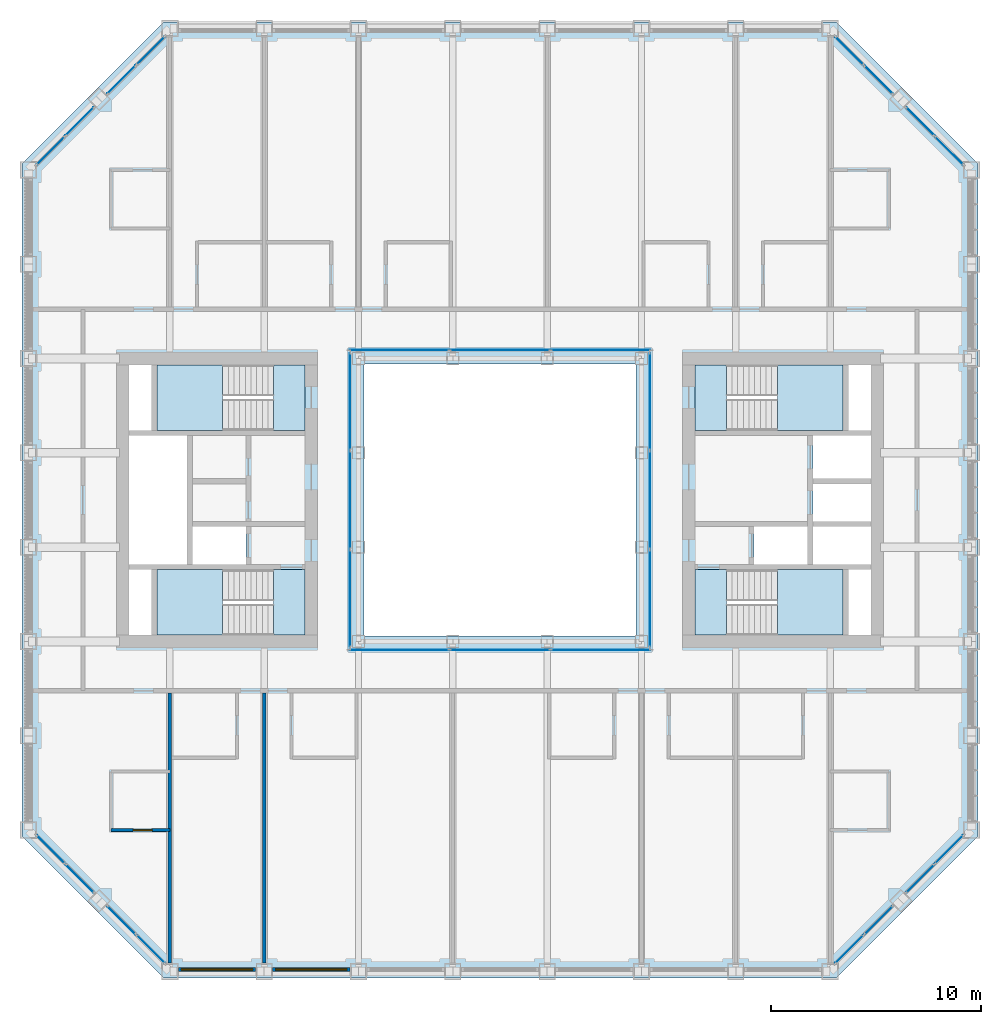
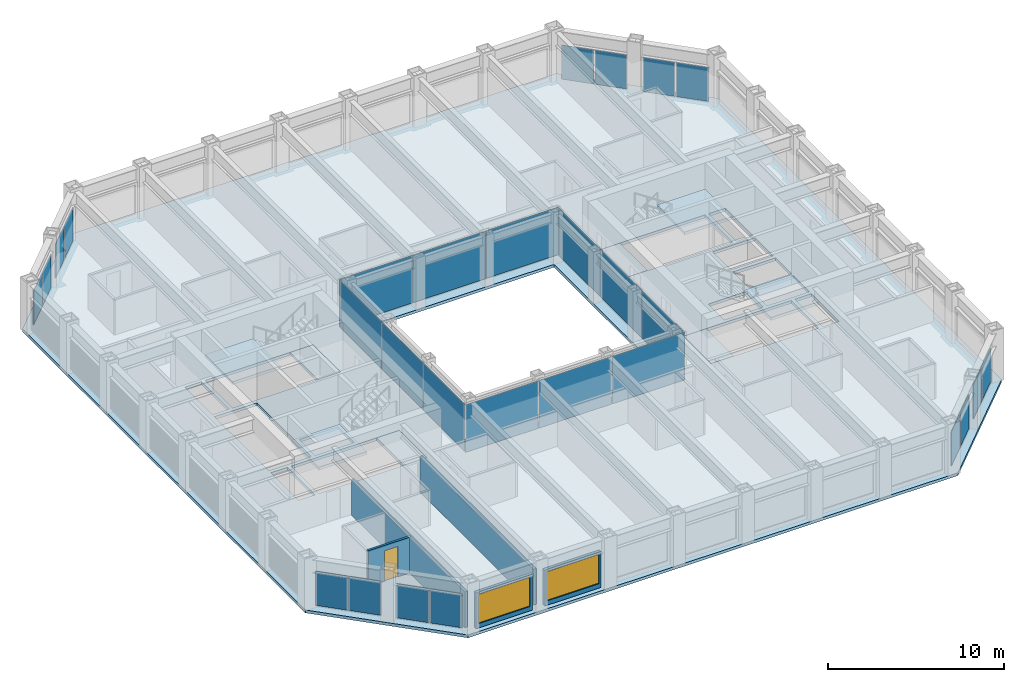
# One storey, part 9 of 17: 28 plates, 9 slabs, 5 walls, 2 windows, 1 door, 3 openings, 16 elements without a shape of their own.
"""IFC4 building model written with IfcOpenShell, lengths in metres."""

from ifc_helpers import new_model, si_unit, direction, frame, frame_2d, origin, origin_2d, place, context, subcontext, project, spatial, polyline, rectangle, outline, extrude, material, layer, layer_set, type_object, element, fill, aggregate, save


model = new_model("IFC4")

# Units and contexts
model_context = context("Model", 3, precision=1e-05, world=origin(), true_north=direction((0.0, 1.0)))
body_context = subcontext(model_context, "Body", "Model", "MODEL_VIEW")
ifc_project = project(units=[si_unit("LENGTHUNIT", "METRE"), si_unit("AREAUNIT", "SQUARE_METRE"), si_unit("VOLUMEUNIT", "CUBIC_METRE"), si_unit("PLANEANGLEUNIT", "RADIAN"), si_unit("MASSUNIT", "GRAM", prefix="KILO")], contexts=[model_context])

# Site, building, storey
site_placement = place(None, origin())
site = spatial("IfcSite", under=ifc_project, at=site_placement, CompositionType="ELEMENT")
building_placement = place(site_placement, origin())
building = spatial("IfcBuilding", under=site, at=building_placement, Name="Msasa Ring Tower", CompositionType="ELEMENT")
storey_placement = place(building_placement, frame((0.0, 0.0, 136.39990234375)))
storey = spatial("IfcBuildingStorey", under=building, at=storey_placement, Name="L35", CompositionType="ELEMENT", Elevation=136.39990234375)

# Curtain wall, plates
ifc_material_1 = material(Name="Aluminium curtain wall with clear glass", Category="aluminium")
curtain_wall_type_1 = type_object("IfcCurtainWallType", Name="CW-C CHAMFER CORNER CURTAIN WALL", PredefinedType="NOTDEFINED", material=ifc_material_1)
curtain_wall_1_placement = place(storey_placement, origin())
curtain_wall_1 = element("IfcCurtainWall", 1, at=curtain_wall_1_placement, inside=storey, type_object=curtain_wall_type_1, Name="Chamfer corner curtain wall SE L35", PredefinedType="NOTDEFINED")
ifc_material_2 = material(Name="Clear laminated insulating glass unit", Category="glass")
ifc_layer_1 = layer(ifc_material_2, 0.031982421875)
ifc_layer_set_1 = layer_set([ifc_layer_1], Name="CW-C GLASS PANEL 32")
plate_type_1 = type_object("IfcPlateType", Name="CW-C GLASS PANEL 32", PredefinedType="CURTAIN_PANEL", material=ifc_layer_set_1)
plate_1_placement = place(storey_placement, frame((16.677734375, -21.430908203125, 0.06494140625), z_axis=(0.0, 0.0, 1.0), x_axis=(0.707106781187, 0.707106781187, 0.0)))
plate_1 = element("IfcPlate", 2, at=plate_1_placement, type_object=plate_type_1, Name="CW-C panel 1.1", PredefinedType="CURTAIN_PANEL", context=body_context, shape_type="SweptSolid", body=[
    extrude(rectangle(XDim=1.884033203125, YDim=0.031982421875, at=origin_2d()), origin(), (0.0, 0.0, 1.0), 2.34912109375),
])
plate_2_placement = place(storey_placement, frame((18.055908203125, -20.052734375, 0.06494140625), z_axis=(0.0, 0.0, 1.0), x_axis=(0.707106781187, 0.707106781187, 0.0)))
plate_2 = element("IfcPlate", 3, at=plate_2_placement, type_object=plate_type_1, Name="CW-C panel 2.1", PredefinedType="CURTAIN_PANEL", context=body_context, shape_type="SweptSolid", body=[
    extrude(rectangle(XDim=1.884033203125, YDim=0.031982421875, at=origin_2d()), origin(), (0.0, 0.0, 1.0), 2.34912109375),
])
aggregate(curtain_wall_1, [plate_1, plate_2])

curtain_wall_2_placement = place(storey_placement, origin())
curtain_wall_2 = element("IfcCurtainWall", 4, at=curtain_wall_2_placement, inside=storey, type_object=curtain_wall_type_1, Name="Chamfer corner curtain wall SE L35", PredefinedType="NOTDEFINED")
plate_3_placement = place(storey_placement, frame((20.052734375, -18.055908203125, 0.06494140625), z_axis=(0.0, 0.0, 1.0), x_axis=(0.707106781187, 0.707106781187, 0.0)))
plate_3 = element("IfcPlate", 5, at=plate_3_placement, type_object=plate_type_1, Name="CW-C panel 1.1", PredefinedType="CURTAIN_PANEL", context=body_context, shape_type="SweptSolid", body=[
    extrude(rectangle(XDim=1.884033203125, YDim=0.031982421875, at=origin_2d()), origin(), (0.0, 0.0, 1.0), 2.34912109375),
])
plate_4_placement = place(storey_placement, frame((21.430908203125, -16.677734375, 0.06494140625), z_axis=(0.0, 0.0, 1.0), x_axis=(0.707106781187, 0.707106781187, 0.0)))
plate_4 = element("IfcPlate", 6, at=plate_4_placement, type_object=plate_type_1, Name="CW-C panel 2.1", PredefinedType="CURTAIN_PANEL", context=body_context, shape_type="SweptSolid", body=[
    extrude(rectangle(XDim=1.884033203125, YDim=0.031982421875, at=origin_2d()), origin(), (0.0, 0.0, 1.0), 2.34912109375),
])
aggregate(curtain_wall_2, [plate_3, plate_4])

curtain_wall_3_placement = place(storey_placement, origin())
curtain_wall_3 = element("IfcCurtainWall", 7, at=curtain_wall_3_placement, inside=storey, type_object=curtain_wall_type_1, Name="Chamfer corner curtain wall NE L35", PredefinedType="NOTDEFINED")
plate_5_placement = place(storey_placement, frame((18.055908203125, 20.052734375, 0.06494140625), z_axis=(0.0, 0.0, 1.0), x_axis=(-0.707106781187, 0.707106781187, 0.0)))
plate_5 = element("IfcPlate", 8, at=plate_5_placement, type_object=plate_type_1, Name="CW-C panel 1.1", PredefinedType="CURTAIN_PANEL", context=body_context, shape_type="SweptSolid", body=[
    extrude(rectangle(XDim=1.884033203125, YDim=0.031982421875, at=origin_2d()), origin(), (0.0, 0.0, 1.0), 2.34912109375),
])
plate_6_placement = place(storey_placement, frame((16.677734375, 21.430908203125, 0.06494140625), z_axis=(0.0, 0.0, 1.0), x_axis=(-0.707106781187, 0.707106781187, 0.0)))
plate_6 = element("IfcPlate", 9, at=plate_6_placement, type_object=plate_type_1, Name="CW-C panel 2.1", PredefinedType="CURTAIN_PANEL", context=body_context, shape_type="SweptSolid", body=[
    extrude(rectangle(XDim=1.884033203125, YDim=0.031982421875, at=origin_2d()), origin(), (0.0, 0.0, 1.0), 2.34912109375),
])
aggregate(curtain_wall_3, [plate_5, plate_6])

curtain_wall_4_placement = place(storey_placement, origin())
curtain_wall_4 = element("IfcCurtainWall", 10, at=curtain_wall_4_placement, inside=storey, type_object=curtain_wall_type_1, Name="Chamfer corner curtain wall NE L35", PredefinedType="NOTDEFINED")
plate_7_placement = place(storey_placement, frame((21.430908203125, 16.677734375, 0.06494140625), z_axis=(0.0, 0.0, 1.0), x_axis=(-0.707106781187, 0.707106781187, 0.0)))
plate_7 = element("IfcPlate", 11, at=plate_7_placement, type_object=plate_type_1, Name="CW-C panel 1.1", PredefinedType="CURTAIN_PANEL", context=body_context, shape_type="SweptSolid", body=[
    extrude(rectangle(XDim=1.884033203125, YDim=0.031982421875, at=origin_2d()), origin(), (0.0, 0.0, 1.0), 2.34912109375),
])
plate_8_placement = place(storey_placement, frame((20.052734375, 18.055908203125, 0.06494140625), z_axis=(0.0, 0.0, 1.0), x_axis=(-0.707106781187, 0.707106781187, 0.0)))
plate_8 = element("IfcPlate", 12, at=plate_8_placement, type_object=plate_type_1, Name="CW-C panel 2.1", PredefinedType="CURTAIN_PANEL", context=body_context, shape_type="SweptSolid", body=[
    extrude(rectangle(XDim=1.884033203125, YDim=0.031982421875, at=origin_2d()), origin(), (0.0, 0.0, 1.0), 2.34912109375),
])
aggregate(curtain_wall_4, [plate_7, plate_8])

curtain_wall_5_placement = place(storey_placement, origin())
curtain_wall_5 = element("IfcCurtainWall", 13, at=curtain_wall_5_placement, inside=storey, type_object=curtain_wall_type_1, Name="Chamfer corner curtain wall NW L35", PredefinedType="NOTDEFINED")
plate_9_placement = place(storey_placement, frame((-20.052734375, 18.055908203125, 0.06494140625), z_axis=(0.0, 0.0, 1.0), x_axis=(-0.707106781187, -0.707106781187, 0.0)))
plate_9 = element("IfcPlate", 14, at=plate_9_placement, type_object=plate_type_1, Name="CW-C panel 1.1", PredefinedType="CURTAIN_PANEL", context=body_context, shape_type="SweptSolid", body=[
    extrude(rectangle(XDim=1.884033203125, YDim=0.031982421875, at=origin_2d()), origin(), (0.0, 0.0, 1.0), 2.34912109375),
])
plate_10_placement = place(storey_placement, frame((-21.430908203125, 16.677734375, 0.06494140625), z_axis=(0.0, 0.0, 1.0), x_axis=(-0.707106781187, -0.707106781187, 0.0)))
plate_10 = element("IfcPlate", 15, at=plate_10_placement, type_object=plate_type_1, Name="CW-C panel 2.1", PredefinedType="CURTAIN_PANEL", context=body_context, shape_type="SweptSolid", body=[
    extrude(rectangle(XDim=1.884033203125, YDim=0.031982421875, at=origin_2d()), origin(), (0.0, 0.0, 1.0), 2.34912109375),
])
aggregate(curtain_wall_5, [plate_9, plate_10])

curtain_wall_6_placement = place(storey_placement, origin())
curtain_wall_6 = element("IfcCurtainWall", 16, at=curtain_wall_6_placement, inside=storey, type_object=curtain_wall_type_1, Name="Chamfer corner curtain wall NW L35", PredefinedType="NOTDEFINED")
plate_11_placement = place(storey_placement, frame((-16.677734375, 21.430908203125, 0.06494140625), z_axis=(0.0, 0.0, 1.0), x_axis=(-0.707106781187, -0.707106781187, 0.0)))
plate_11 = element("IfcPlate", 17, at=plate_11_placement, type_object=plate_type_1, Name="CW-C panel 1.1", PredefinedType="CURTAIN_PANEL", context=body_context, shape_type="SweptSolid", body=[
    extrude(rectangle(XDim=1.884033203125, YDim=0.031982421875, at=origin_2d()), origin(), (0.0, 0.0, 1.0), 2.34912109375),
])
plate_12_placement = place(storey_placement, frame((-18.055908203125, 20.052734375, 0.06494140625), z_axis=(0.0, 0.0, 1.0), x_axis=(-0.707106781187, -0.707106781187, 0.0)))
plate_12 = element("IfcPlate", 18, at=plate_12_placement, type_object=plate_type_1, Name="CW-C panel 2.1", PredefinedType="CURTAIN_PANEL", context=body_context, shape_type="SweptSolid", body=[
    extrude(rectangle(XDim=1.884033203125, YDim=0.031982421875, at=origin_2d()), origin(), (0.0, 0.0, 1.0), 2.34912109375),
])
aggregate(curtain_wall_6, [plate_11, plate_12])

curtain_wall_7_placement = place(storey_placement, origin())
curtain_wall_7 = element("IfcCurtainWall", 19, at=curtain_wall_7_placement, inside=storey, type_object=curtain_wall_type_1, Name="Chamfer corner curtain wall SW L35", PredefinedType="NOTDEFINED")
plate_13_placement = place(storey_placement, frame((-21.430908203125, -16.677734375, 0.06494140625), z_axis=(0.0, 0.0, 1.0), x_axis=(0.707106781187, -0.707106781187, 0.0)))
plate_13 = element("IfcPlate", 20, at=plate_13_placement, type_object=plate_type_1, Name="CW-C panel 1.1", PredefinedType="CURTAIN_PANEL", context=body_context, shape_type="SweptSolid", body=[
    extrude(rectangle(XDim=1.884033203125, YDim=0.031982421875, at=origin_2d()), origin(), (0.0, 0.0, 1.0), 2.34912109375),
])
plate_14_placement = place(storey_placement, frame((-20.052734375, -18.055908203125, 0.06494140625), z_axis=(0.0, 0.0, 1.0), x_axis=(0.707106781187, -0.707106781187, 0.0)))
plate_14 = element("IfcPlate", 21, at=plate_14_placement, type_object=plate_type_1, Name="CW-C panel 2.1", PredefinedType="CURTAIN_PANEL", context=body_context, shape_type="SweptSolid", body=[
    extrude(rectangle(XDim=1.884033203125, YDim=0.031982421875, at=origin_2d()), origin(), (0.0, 0.0, 1.0), 2.34912109375),
])
aggregate(curtain_wall_7, [plate_13, plate_14])

curtain_wall_8_placement = place(storey_placement, origin())
curtain_wall_8 = element("IfcCurtainWall", 22, at=curtain_wall_8_placement, inside=storey, type_object=curtain_wall_type_1, Name="Chamfer corner curtain wall SW L35", PredefinedType="NOTDEFINED")
plate_15_placement = place(storey_placement, frame((-18.055908203125, -20.052734375, 0.06494140625), z_axis=(0.0, 0.0, 1.0), x_axis=(0.707106781187, -0.707106781187, 0.0)))
plate_15 = element("IfcPlate", 23, at=plate_15_placement, type_object=plate_type_1, Name="CW-C panel 1.1", PredefinedType="CURTAIN_PANEL", context=body_context, shape_type="SweptSolid", body=[
    extrude(rectangle(XDim=1.884033203125, YDim=0.031982421875, at=origin_2d()), origin(), (0.0, 0.0, 1.0), 2.34912109375),
])
plate_16_placement = place(storey_placement, frame((-16.677734375, -21.430908203125, 0.06494140625), z_axis=(0.0, 0.0, 1.0), x_axis=(0.707106781187, -0.707106781187, 0.0)))
plate_16 = element("IfcPlate", 24, at=plate_16_placement, type_object=plate_type_1, Name="CW-C panel 2.1", PredefinedType="CURTAIN_PANEL", context=body_context, shape_type="SweptSolid", body=[
    extrude(rectangle(XDim=1.884033203125, YDim=0.031982421875, at=origin_2d()), origin(), (0.0, 0.0, 1.0), 2.34912109375),
])
aggregate(curtain_wall_8, [plate_15, plate_16])

ifc_material_3 = material(Name="Aluminium curtain wall with clear glass", Category="aluminium")
curtain_wall_type_2 = type_object("IfcCurtainWallType", Name="CW-W LIGHT WELL CURTAIN WALL", PredefinedType="NOTDEFINED", material=ifc_material_3)
curtain_wall_9_placement = place(storey_placement, origin())
curtain_wall_9 = element("IfcCurtainWall", 25, at=curtain_wall_9_placement, inside=storey, type_object=curtain_wall_type_2, Name="Light well curtain wall N L35", PredefinedType="NOTDEFINED")
ifc_material_4 = material(Name="Clear laminated insulating glass unit", Category="glass")
ifc_layer_2 = layer(ifc_material_4, 0.028076171875)
ifc_layer_set_2 = layer_set([ifc_layer_2], Name="CW-W GLASS PANEL 28")
plate_type_2 = type_object("IfcPlateType", Name="CW-W GLASS PANEL 28", PredefinedType="CURTAIN_PANEL", material=ifc_layer_set_2)
plate_17_placement = place(storey_placement, frame((-4.804931640625, 7.14990234375, 0.06005859375), z_axis=(0.0, 0.0, 1.0), x_axis=(1.0, 0.0, 0.0)))
plate_17 = element("IfcPlate", 26, at=plate_17_placement, type_object=plate_type_2, Name="CW-W panel 1.1", PredefinedType="CURTAIN_PANEL", context=body_context, shape_type="SweptSolid", body=[
    extrude(rectangle(XDim=4.72998046875, YDim=0.028076171875, at=origin_2d()), origin(), (0.0, 0.0, 1.0), 3.280029296875),
])
plate_18_placement = place(storey_placement, frame((0.0, 7.14990234375, 0.06005859375), z_axis=(0.0, 0.0, 1.0), x_axis=(1.0, 0.0, 0.0)))
plate_18 = element("IfcPlate", 27, at=plate_18_placement, type_object=plate_type_2, Name="CW-W panel 2.1", PredefinedType="CURTAIN_PANEL", context=body_context, shape_type="SweptSolid", body=[
    extrude(rectangle(XDim=4.760009765625, YDim=0.028076171875, at=origin_2d()), origin(), (0.0, 0.0, 1.0), 3.280029296875),
])
plate_19_placement = place(storey_placement, frame((4.804931640625, 7.14990234375, 0.06005859375), z_axis=(0.0, 0.0, 1.0), x_axis=(1.0, 0.0, 0.0)))
plate_19 = element("IfcPlate", 28, at=plate_19_placement, type_object=plate_type_2, Name="CW-W panel 3.1", PredefinedType="CURTAIN_PANEL", context=body_context, shape_type="SweptSolid", body=[
    extrude(rectangle(XDim=4.72998046875, YDim=0.028076171875, at=origin_2d()), origin(), (0.0, 0.0, 1.0), 3.280029296875),
])
aggregate(curtain_wall_9, [plate_17, plate_18, plate_19])

curtain_wall_10_placement = place(storey_placement, origin())
curtain_wall_10 = element("IfcCurtainWall", 29, at=curtain_wall_10_placement, inside=storey, type_object=curtain_wall_type_2, Name="Light well curtain wall S L35", PredefinedType="NOTDEFINED")
plate_20_placement = place(storey_placement, frame((-4.804931640625, -7.14990234375, 0.06005859375), z_axis=(0.0, 0.0, 1.0), x_axis=(1.0, 0.0, 0.0)))
plate_20 = element("IfcPlate", 30, at=plate_20_placement, type_object=plate_type_2, Name="CW-W panel 1.1", PredefinedType="CURTAIN_PANEL", context=body_context, shape_type="SweptSolid", body=[
    extrude(rectangle(XDim=4.72998046875, YDim=0.028076171875, at=origin_2d()), origin(), (0.0, 0.0, 1.0), 3.280029296875),
])
plate_21_placement = place(storey_placement, frame((0.0, -7.14990234375, 0.06005859375), z_axis=(0.0, 0.0, 1.0), x_axis=(1.0, 0.0, 0.0)))
plate_21 = element("IfcPlate", 31, at=plate_21_placement, type_object=plate_type_2, Name="CW-W panel 2.1", PredefinedType="CURTAIN_PANEL", context=body_context, shape_type="SweptSolid", body=[
    extrude(rectangle(XDim=4.760009765625, YDim=0.028076171875, at=origin_2d()), origin(), (0.0, 0.0, 1.0), 3.280029296875),
])
plate_22_placement = place(storey_placement, frame((4.804931640625, -7.14990234375, 0.06005859375), z_axis=(0.0, 0.0, 1.0), x_axis=(1.0, 0.0, 0.0)))
plate_22 = element("IfcPlate", 32, at=plate_22_placement, type_object=plate_type_2, Name="CW-W panel 3.1", PredefinedType="CURTAIN_PANEL", context=body_context, shape_type="SweptSolid", body=[
    extrude(rectangle(XDim=4.72998046875, YDim=0.028076171875, at=origin_2d()), origin(), (0.0, 0.0, 1.0), 3.280029296875),
])
aggregate(curtain_wall_10, [plate_20, plate_21, plate_22])

curtain_wall_11_placement = place(storey_placement, origin())
curtain_wall_11 = element("IfcCurtainWall", 33, at=curtain_wall_11_placement, inside=storey, type_object=curtain_wall_type_2, Name="Light well curtain wall E L35", PredefinedType="NOTDEFINED")
plate_23_placement = place(storey_placement, frame((7.14990234375, -4.6982421875, 0.06005859375), z_axis=(0.0, 0.0, 1.0), x_axis=(0.0, 1.0, 0.0)))
plate_23 = element("IfcPlate", 34, at=plate_23_placement, type_object=plate_type_2, Name="CW-W panel 1.1", PredefinedType="CURTAIN_PANEL", context=body_context, shape_type="SweptSolid", body=[
    extrude(rectangle(XDim=4.623291015625, YDim=0.028076171875, at=origin_2d()), origin(), (0.0, 0.0, 1.0), 3.280029296875),
])
plate_24_placement = place(storey_placement, frame((7.14990234375, 0.0, 0.06005859375), z_axis=(0.0, 0.0, 1.0), x_axis=(0.0, 1.0, 0.0)))
plate_24 = element("IfcPlate", 35, at=plate_24_placement, type_object=plate_type_2, Name="CW-W panel 2.1", PredefinedType="CURTAIN_PANEL", context=body_context, shape_type="SweptSolid", body=[
    extrude(rectangle(XDim=4.6533203125, YDim=0.028076171875, at=origin_2d()), origin(), (0.0, 0.0, 1.0), 3.280029296875),
])
plate_25_placement = place(storey_placement, frame((7.14990234375, 4.6982421875, 0.06005859375), z_axis=(0.0, 0.0, 1.0), x_axis=(0.0, 1.0, 0.0)))
plate_25 = element("IfcPlate", 36, at=plate_25_placement, type_object=plate_type_2, Name="CW-W panel 3.1", PredefinedType="CURTAIN_PANEL", context=body_context, shape_type="SweptSolid", body=[
    extrude(rectangle(XDim=4.623291015625, YDim=0.028076171875, at=origin_2d()), origin(), (0.0, 0.0, 1.0), 3.280029296875),
])
aggregate(curtain_wall_11, [plate_23, plate_24, plate_25])

curtain_wall_12_placement = place(storey_placement, origin())
curtain_wall_12 = element("IfcCurtainWall", 37, at=curtain_wall_12_placement, inside=storey, type_object=curtain_wall_type_2, Name="Light well curtain wall W L35", PredefinedType="NOTDEFINED")
plate_26_placement = place(storey_placement, frame((-7.14990234375, -4.6982421875, 0.06005859375), z_axis=(0.0, 0.0, 1.0), x_axis=(0.0, 1.0, 0.0)))
plate_26 = element("IfcPlate", 38, at=plate_26_placement, type_object=plate_type_2, Name="CW-W panel 1.1", PredefinedType="CURTAIN_PANEL", context=body_context, shape_type="SweptSolid", body=[
    extrude(rectangle(XDim=4.623291015625, YDim=0.028076171875, at=origin_2d()), origin(), (0.0, 0.0, 1.0), 3.280029296875),
])
plate_27_placement = place(storey_placement, frame((-7.14990234375, 0.0, 0.06005859375), z_axis=(0.0, 0.0, 1.0), x_axis=(0.0, 1.0, 0.0)))
plate_27 = element("IfcPlate", 39, at=plate_27_placement, type_object=plate_type_2, Name="CW-W panel 2.1", PredefinedType="CURTAIN_PANEL", context=body_context, shape_type="SweptSolid", body=[
    extrude(rectangle(XDim=4.6533203125, YDim=0.028076171875, at=origin_2d()), origin(), (0.0, 0.0, 1.0), 3.280029296875),
])
plate_28_placement = place(storey_placement, frame((-7.14990234375, 4.6982421875, 0.06005859375), z_axis=(0.0, 0.0, 1.0), x_axis=(0.0, 1.0, 0.0)))
plate_28 = element("IfcPlate", 40, at=plate_28_placement, type_object=plate_type_2, Name="CW-W panel 3.1", PredefinedType="CURTAIN_PANEL", context=body_context, shape_type="SweptSolid", body=[
    extrude(rectangle(XDim=4.623291015625, YDim=0.028076171875, at=origin_2d()), origin(), (0.0, 0.0, 1.0), 3.280029296875),
])
aggregate(curtain_wall_12, [plate_26, plate_27, plate_28])

# Stair, slabs
ifc_material_5 = material(Name="Concrete C40/50", Category="concrete")
stair_type = type_object("IfcStairType", Name="STC CORE STAIR 20 RISERS 180", PredefinedType="HALF_TURN_STAIR", material=ifc_material_5)
stair_1_placement = place(storey_placement, origin())
stair_1 = element("IfcStair", 41, at=stair_1_placement, inside=storey, type_object=stair_type, Name="Core stair SEA L35", PredefinedType="HALF_TURN_STAIR")
ifc_material_6 = material(Name="Concrete C40/50", Category="concrete")
ifc_layer_3 = layer(ifc_material_6, 0.199951171875)
ifc_layer_set_3 = layer_set([ifc_layer_3], Name="LD1 CORE STAIR LANDING 200")
slab_type_1 = type_object("IfcSlabType", Name="LD1 CORE STAIR LANDING 200", PredefinedType="LANDING", material=ifc_layer_set_3)
slab_1_placement = place(storey_placement, frame((0.0, 0.0, -0.199951171875)))
slab_1 = element("IfcSlab", 42, at=slab_1_placement, type_object=slab_type_1, Name="SEA landing 1", PredefinedType="LANDING", context=body_context, shape_type="SweptSolid", body=[
    extrude(outline(polyline([(9.300048828125, -6.449951171875), (10.800048828125, -6.449951171875), (10.800048828125, -3.324951171875), (9.300048828125, -3.324951171875), (9.300048828125, -6.449951171875)])), origin(), (0.0, 0.0, 1.0), 0.199951171875),
])
slab_2_placement = place(storey_placement, frame((0.0, 0.0, 1.60009765625)))
slab_2 = element("IfcSlab", 43, at=slab_2_placement, type_object=slab_type_1, Name="SEA landing 2", PredefinedType="LANDING", context=body_context, shape_type="SweptSolid", body=[
    extrude(outline(polyline([(13.22998046875, -6.449951171875), (16.375, -6.449951171875), (16.375, -3.324951171875), (13.22998046875, -3.324951171875), (13.22998046875, -6.449951171875)])), origin(), (0.0, 0.0, 1.0), 0.199951171875),
])
aggregate(stair_1, [slab_1, slab_2])

stair_2_placement = place(storey_placement, origin())
stair_2 = element("IfcStair", 44, at=stair_2_placement, inside=storey, type_object=stair_type, Name="Core stair SEB L35", PredefinedType="HALF_TURN_STAIR")
slab_3_placement = place(storey_placement, frame((0.0, 0.0, -0.199951171875)))
slab_3 = element("IfcSlab", 45, at=slab_3_placement, type_object=slab_type_1, Name="SEB landing 1", PredefinedType="LANDING", context=body_context, shape_type="SweptSolid", body=[
    extrude(outline(polyline([(9.300048828125, 3.324951171875), (10.800048828125, 3.324951171875), (10.800048828125, 6.449951171875), (9.300048828125, 6.449951171875), (9.300048828125, 3.324951171875)])), origin(), (0.0, 0.0, 1.0), 0.199951171875),
])
slab_4_placement = place(storey_placement, frame((0.0, 0.0, 1.60009765625)))
slab_4 = element("IfcSlab", 46, at=slab_4_placement, type_object=slab_type_1, Name="SEB landing 2", PredefinedType="LANDING", context=body_context, shape_type="SweptSolid", body=[
    extrude(outline(polyline([(13.22998046875, 3.324951171875), (16.375, 3.324951171875), (16.375, 6.449951171875), (13.22998046875, 6.449951171875), (13.22998046875, 3.324951171875)])), origin(), (0.0, 0.0, 1.0), 0.199951171875),
])
aggregate(stair_2, [slab_3, slab_4])

stair_3_placement = place(storey_placement, origin())
stair_3 = element("IfcStair", 47, at=stair_3_placement, inside=storey, type_object=stair_type, Name="Core stair SWA L35", PredefinedType="HALF_TURN_STAIR")
slab_5_placement = place(storey_placement, frame((0.0, 0.0, -0.199951171875)))
slab_5 = element("IfcSlab", 48, at=slab_5_placement, type_object=slab_type_1, Name="SWA landing 1", PredefinedType="LANDING", context=body_context, shape_type="SweptSolid", body=[
    extrude(outline(polyline([(-10.800048828125, -6.449951171875), (-9.300048828125, -6.449951171875), (-9.300048828125, -3.324951171875), (-10.800048828125, -3.324951171875), (-10.800048828125, -6.449951171875)])), origin(), (0.0, 0.0, 1.0), 0.199951171875),
])
slab_6_placement = place(storey_placement, frame((0.0, 0.0, 1.60009765625)))
slab_6 = element("IfcSlab", 49, at=slab_6_placement, type_object=slab_type_1, Name="SWA landing 2", PredefinedType="LANDING", context=body_context, shape_type="SweptSolid", body=[
    extrude(outline(polyline([(-16.375, -6.449951171875), (-13.22998046875, -6.449951171875), (-13.22998046875, -3.324951171875), (-16.375, -3.324951171875), (-16.375, -6.449951171875)])), origin(), (0.0, 0.0, 1.0), 0.199951171875),
])
aggregate(stair_3, [slab_5, slab_6])

stair_4_placement = place(storey_placement, origin())
stair_4 = element("IfcStair", 50, at=stair_4_placement, inside=storey, type_object=stair_type, Name="Core stair SWB L35", PredefinedType="HALF_TURN_STAIR")
slab_7_placement = place(storey_placement, frame((0.0, 0.0, -0.199951171875)))
slab_7 = element("IfcSlab", 51, at=slab_7_placement, type_object=slab_type_1, Name="SWB landing 1", PredefinedType="LANDING", context=body_context, shape_type="SweptSolid", body=[
    extrude(outline(polyline([(-10.800048828125, 3.324951171875), (-9.300048828125, 3.324951171875), (-9.300048828125, 6.449951171875), (-10.800048828125, 6.449951171875), (-10.800048828125, 3.324951171875)])), origin(), (0.0, 0.0, 1.0), 0.199951171875),
])
slab_8_placement = place(storey_placement, frame((0.0, 0.0, 1.60009765625)))
slab_8 = element("IfcSlab", 52, at=slab_8_placement, type_object=slab_type_1, Name="SWB landing 2", PredefinedType="LANDING", context=body_context, shape_type="SweptSolid", body=[
    extrude(outline(polyline([(-16.375, 3.324951171875), (-13.22998046875, 3.324951171875), (-13.22998046875, 6.449951171875), (-16.375, 6.449951171875), (-16.375, 3.324951171875)])), origin(), (0.0, 0.0, 1.0), 0.199951171875),
])
aggregate(stair_4, [slab_7, slab_8])

# Slab
ifc_material_7 = material(Name="Concrete C40/50", Category="concrete")
ifc_layer_4 = layer(ifc_material_7, 0.199951171875)
ifc_layer_set_4 = layer_set([ifc_layer_4], Name="S6 GUEST FLOOR 200")
slab_type_2 = type_object("IfcSlabType", Name="S6 GUEST FLOOR 200", PredefinedType="FLOOR", material=ifc_layer_set_4)
slab_9_placement = place(storey_placement, frame((0.0, 0.0, -0.199951171875)))
element("IfcSlab", 53, at=slab_9_placement, inside=storey, type_object=slab_type_2, Name="Floor slab L35", PredefinedType="FLOOR", context=body_context, shape_type="SweptSolid", body=[
    extrude(outline(polyline([(-16.050048828125, -22.800048828125), (16.050048828125, -22.800048828125), (22.800048828125, -16.050048828125), (22.800048828125, 16.050048828125), (16.050048828125, 22.800048828125), (-16.050048828125, 22.800048828125), (-22.800048828125, 16.050048828125), (-22.800048828125, -16.050048828125), (-16.050048828125, -22.800048828125)]), holes=[polyline([(-6.5, -6.5), (6.5, -6.5), (6.5, 6.5), (-6.5, 6.5), (-6.5, -6.5)]), polyline([(9.300048828125, -6.449951171875), (16.375, -6.449951171875), (16.375, -3.324951171875), (9.300048828125, -3.324951171875), (9.300048828125, -6.449951171875)]), polyline([(9.300048828125, 3.324951171875), (16.375, 3.324951171875), (16.375, 6.449951171875), (9.300048828125, 6.449951171875), (9.300048828125, 3.324951171875)]), polyline([(12.125, -3.074951171875), (14.675048828125, -3.074951171875), (14.675048828125, -1.27490234375), (12.125, -1.27490234375), (12.125, -3.074951171875)]), polyline([(16.625, -6.449951171875), (17.699951171875, -6.449951171875), (17.699951171875, -3.324951171875), (16.625, -3.324951171875), (16.625, -6.449951171875)]), polyline([(16.625, 3.324951171875), (17.699951171875, 3.324951171875), (17.699951171875, 6.449951171875), (16.625, 6.449951171875), (16.625, 3.324951171875)]), polyline([(14.925048828125, -3.074951171875), (17.699951171875, -3.074951171875), (17.699951171875, -1.27490234375), (14.925048828125, -1.27490234375), (14.925048828125, -3.074951171875)]), polyline([(14.925048828125, -1.02490234375), (17.699951171875, -1.02490234375), (17.699951171875, 0.77490234375), (14.925048828125, 0.77490234375), (14.925048828125, -1.02490234375)]), polyline([(14.925048828125, 1.02490234375), (17.699951171875, 1.02490234375), (17.699951171875, 3.074951171875), (14.925048828125, 3.074951171875), (14.925048828125, 1.02490234375)]), polyline([(-16.375, -6.449951171875), (-9.300048828125, -6.449951171875), (-9.300048828125, -3.324951171875), (-16.375, -3.324951171875), (-16.375, -6.449951171875)]), polyline([(-16.375, 3.324951171875), (-9.300048828125, 3.324951171875), (-9.300048828125, 6.449951171875), (-16.375, 6.449951171875), (-16.375, 3.324951171875)]), polyline([(-14.675048828125, -3.074951171875), (-12.125, -3.074951171875), (-12.125, -1.27490234375), (-14.675048828125, -1.27490234375), (-14.675048828125, -3.074951171875)]), polyline([(-17.699951171875, -6.449951171875), (-16.625, -6.449951171875), (-16.625, -3.324951171875), (-17.699951171875, -3.324951171875), (-17.699951171875, -6.449951171875)]), polyline([(-17.699951171875, 3.324951171875), (-16.625, 3.324951171875), (-16.625, 6.449951171875), (-17.699951171875, 6.449951171875), (-17.699951171875, 3.324951171875)]), polyline([(-17.699951171875, -3.074951171875), (-14.925048828125, -3.074951171875), (-14.925048828125, 3.074951171875), (-17.699951171875, 3.074951171875), (-17.699951171875, -3.074951171875)])]), origin(), (0.0, 0.0, 1.0), 0.199951171875),
])

# Wall, opening, window
ifc_material_8 = material(Name="Terracotta rainscreen on blockwork", Category="masonry")
ifc_layer_5 = layer(ifc_material_8, 0.199951171875)
ifc_layer_set_5 = layer_set([ifc_layer_5], Name="FW1 TERRACOTTA-LINED INFILL BAY WALL 200")
wall_type_1 = type_object("IfcWallType", Name="FW1 TERRACOTTA-LINED INFILL BAY WALL 200", PredefinedType="SOLIDWALL", material=ifc_layer_set_5)
wall_1_placement = place(storey_placement, frame((-15.344970703125, -22.39990234375, 0.0), z_axis=(0.0, 0.0, 1.0), x_axis=(1.0, 0.0, 0.0)))
wall_1 = element("IfcWall", 54, at=wall_1_placement, inside=storey, type_object=wall_type_1, Name="Infill bay wall S L35 00", PredefinedType="SOLIDWALL", context=body_context, shape_type="SweptSolid", body=[
    extrude(rectangle(XDim=3.68994140625, YDim=0.199951171875, at=frame_2d((1.844970703125, 0.0))), origin(), (0.0, 0.0, 1.0), 2.47900390625),
])
opening_1_placement = place(wall_1_placement, frame((0.14501953125, 0.0, 0.300048828125)))
opening_1 = element("IfcOpeningElement", 55, at=opening_1_placement, cuts=wall_1, Name="Opening WN2", PredefinedType="OPENING", context=body_context, shape_type="SweptSolid", body=[
    extrude(rectangle(XDim=3.39990234375, YDim=2.029052734375, at=frame_2d((1.699951171875, 1.0146484375))), frame((0.0, 0.10986328125, 0.0), z_axis=(0.0, -1.0, 0.0), x_axis=(1.0, 0.0, 0.0)), (0.0, 0.0, 1.0), 0.219970703125),
])
ifc_material_9 = material(Name="Aluminium frame with clear glass", Category="aluminium")
window_type = type_object("IfcWindowType", Name="WN2 GUEST ROOM WINDOW 3400x2029", PartitioningType="SINGLE_PANEL", PredefinedType="WINDOW", material=ifc_material_9)
window_1_placement = place(opening_1_placement, origin())
window_1 = element("IfcWindow", 56, at=window_1_placement, inside=storey, type_object=window_type, Name="Window S L35 00", OverallHeight=2.029052734375, OverallWidth=3.39990234375, PartitioningType="SINGLE_PANEL", PredefinedType="WINDOW", context=body_context, shape_type="SweptSolid", body=[
    extrude(rectangle(XDim=3.39990234375, YDim=2.029052734375, at=frame_2d((1.699951171875, 1.0146484375))), frame((0.0, 0.030029296875, 0.0), z_axis=(0.0, -1.0, 0.0), x_axis=(1.0, 0.0, 0.0)), (0.0, 0.0, 1.0), 0.06005859375),
])
fill(opening_1, window_1)

wall_2_placement = place(storey_placement, frame((-10.844970703125, -22.39990234375, 0.0), z_axis=(0.0, 0.0, 1.0), x_axis=(1.0, 0.0, 0.0)))
wall_2 = element("IfcWall", 57, at=wall_2_placement, inside=storey, type_object=wall_type_1, Name="Infill bay wall S L35 01", PredefinedType="SOLIDWALL", context=body_context, shape_type="SweptSolid", body=[
    extrude(rectangle(XDim=3.68994140625, YDim=0.199951171875, at=frame_2d((1.844970703125, 0.0))), origin(), (0.0, 0.0, 1.0), 2.47900390625),
])
opening_2_placement = place(wall_2_placement, frame((0.14501953125, 0.0, 0.300048828125)))
opening_2 = element("IfcOpeningElement", 58, at=opening_2_placement, cuts=wall_2, Name="Opening WN2", PredefinedType="OPENING", context=body_context, shape_type="SweptSolid", body=[
    extrude(rectangle(XDim=3.39990234375, YDim=2.029052734375, at=frame_2d((1.699951171875, 1.0146484375))), frame((0.0, 0.10986328125, 0.0), z_axis=(0.0, -1.0, 0.0), x_axis=(1.0, 0.0, 0.0)), (0.0, 0.0, 1.0), 0.219970703125),
])
window_2_placement = place(opening_2_placement, origin())
window_2 = element("IfcWindow", 59, at=window_2_placement, inside=storey, type_object=window_type, Name="Window S L35 01", OverallHeight=2.029052734375, OverallWidth=3.39990234375, PartitioningType="SINGLE_PANEL", PredefinedType="WINDOW", context=body_context, shape_type="SweptSolid", body=[
    extrude(rectangle(XDim=3.39990234375, YDim=2.029052734375, at=frame_2d((1.699951171875, 1.0146484375))), frame((0.0, 0.030029296875, 0.0), z_axis=(0.0, -1.0, 0.0), x_axis=(1.0, 0.0, 0.0)), (0.0, 0.0, 1.0), 0.06005859375),
])
fill(opening_2, window_2)

# Wall, opening, door
ifc_material_10 = material(Name="Moisture-resistant board on steel studs with a concealed cistern and pipe void, tiled", Category="steel")
ifc_layer_6 = layer(ifc_material_10, 0.14990234375)
ifc_layer_set_6 = layer_set([ifc_layer_6], Name="PT4 BATHROOM WET WALL 150")
wall_type_2 = type_object("IfcWallType", Name="PT4 BATHROOM WET WALL 150", PredefinedType="PARTITIONING", material=ifc_layer_set_6)
wall_3_placement = place(storey_placement, frame((-18.550048828125, -15.75, 0.0), z_axis=(0.0, 0.0, 1.0), x_axis=(1.0, 0.0, 0.0)))
wall_3 = element("IfcWall", 60, at=wall_3_placement, inside=storey, type_object=wall_type_2, Name="Partition L35-CSSWBZ", PredefinedType="PARTITIONING", context=body_context, shape_type="SweptSolid", body=[
    extrude(rectangle(XDim=2.800048828125, YDim=0.14990234375, at=frame_2d((1.39990234375, 0.0))), origin(), (0.0, 0.0, 1.0), 2.473388671875),
])
opening_3_placement = place(wall_3_placement, frame((1.050048828125, 0.0, 0.0)))
opening_3 = element("IfcOpeningElement", 61, at=opening_3_placement, cuts=wall_3, Name="Opening HB-039", PredefinedType="OPENING", context=body_context, shape_type="SweptSolid", body=[
    extrude(rectangle(XDim=0.89990234375, YDim=2.10009765625, at=frame_2d((0.449951171875, 1.050048828125))), frame((0.0, 0.0849609375, 0.0), z_axis=(0.0, -1.0, 0.0), x_axis=(1.0, 0.0, 0.0)), (0.0, 0.0, 1.0), 0.169921875),
])
ifc_material_11 = material(Name="Timber door leaf in a steel frame", Category="steel")
door_type = type_object("IfcDoorType", Name="D3 BATHROOM DOOR 900x2100", OperationType="SINGLE_SWING_LEFT", PredefinedType="DOOR", material=ifc_material_11)
door_placement = place(opening_3_placement, origin())
door = element("IfcDoor", 62, at=door_placement, inside=storey, type_object=door_type, Name="Door L35-CSSWB1", OperationType="SINGLE_SWING_RIGHT", OverallHeight=2.10009765625, OverallWidth=0.89990234375, PredefinedType="DOOR", context=body_context, shape_type="SweptSolid", body=[
    extrude(rectangle(XDim=0.89990234375, YDim=2.10009765625, at=frame_2d((0.449951171875, 1.050048828125))), frame((0.0, 0.02490234375, 0.0), z_axis=(0.0, -1.0, 0.0), x_axis=(1.0, 0.0, 0.0)), (0.0, 0.0, 1.0), 0.050048828125),
])
fill(opening_3, door)

# Walls
ifc_material_12 = material(Name="Twin steel studs, two layers of acoustic board each face, mineral wool", Category="steel")
ifc_layer_7 = layer(ifc_material_12, 0.175048828125)
ifc_layer_set_7 = layer_set([ifc_layer_7], Name="PT5 GUEST ROOM SEPARATING WALL 175")
wall_type_3 = type_object("IfcWallType", Name="PT5 GUEST ROOM SEPARATING WALL 175", PredefinedType="PARTITIONING", material=ifc_layer_set_7)
for number, where, z_axis, x_axis, name in (
    (63, (-15.75, -22.10009765625, 0.0), (0.0, 0.0, 1.0), (0.0, 1.0, 0.0), "Partition L35-PWS-15.75"),
    (64, (-11.25, -22.10009765625, 0.0), (0.0, 0.0, 1.0), (0.0, 1.0, 0.0), "Partition L35-PWS-11.25"),
):
    element("IfcWall", number, at=place(storey_placement, frame(where, z_axis=z_axis, x_axis=x_axis)), inside=storey, type_object=wall_type_3, Name=name, PredefinedType="PARTITIONING", context=body_context, shape_type="SweptSolid", body=[
        extrude(rectangle(XDim=12.900146484375, YDim=0.175048828125, at=frame_2d((6.4501953125, 0.0))), origin(), (0.0, 0.0, 1.0), 2.473388671875),
    ])

save(model, "model.ifc")
